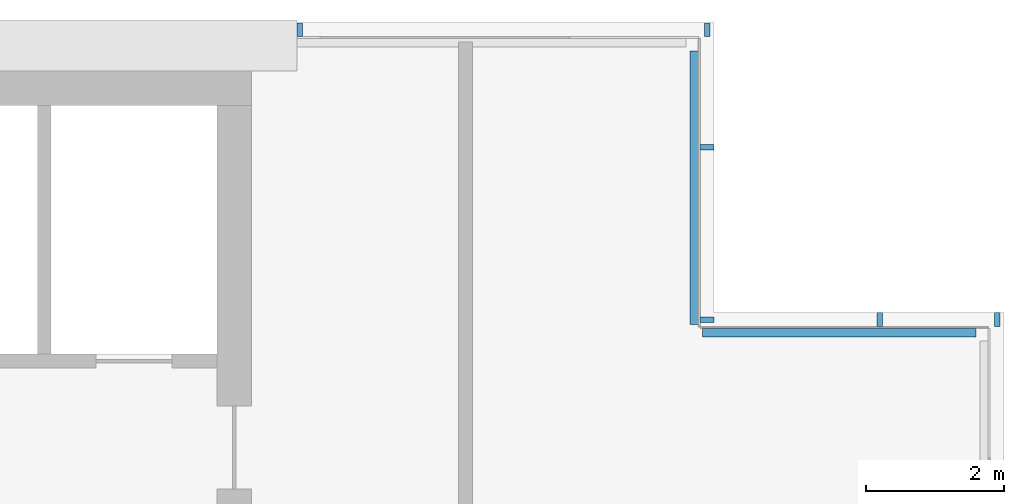
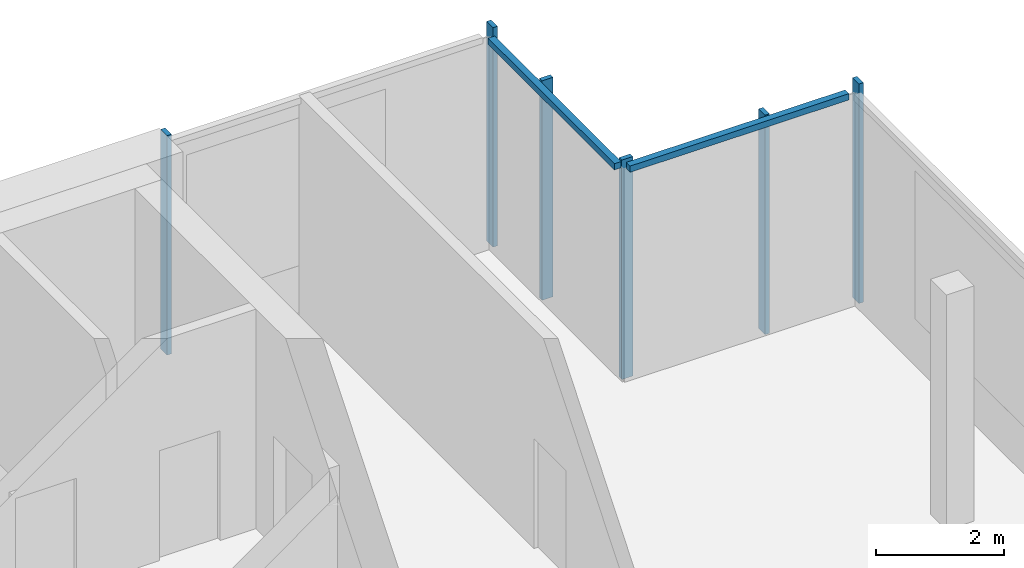
# One storey, part 8 of 14: 8 members, 3 elements without a shape of their own.
"""IFC4 building model written with IfcOpenShell, lengths in metres."""

from ifc_helpers import new_model, si_unit, direction, frame, origin, origin_2d, place, context, subcontext, project, spatial, rectangle, extrude, material, material_profile, profile_set, type_object, element, aggregate, save


model = new_model("IFC4")

# Units and contexts
model_context = context("Model", 3, precision=1e-05, world=origin(), true_north=direction((0.0, 1.0)))
body_context = subcontext(model_context, "Body", "Model", "MODEL_VIEW")
ifc_project = project(units=[si_unit("LENGTHUNIT", "METRE"), si_unit("AREAUNIT", "SQUARE_METRE"), si_unit("VOLUMEUNIT", "CUBIC_METRE"), si_unit("PLANEANGLEUNIT", "RADIAN"), si_unit("MASSUNIT", "GRAM", prefix="KILO")], contexts=[model_context])

# Site, building, storey
site_placement = place(None, origin())
site = spatial("IfcSite", under=ifc_project, at=site_placement, CompositionType="ELEMENT")
building_placement = place(site_placement, origin())
building = spatial("IfcBuilding", under=site, at=building_placement, Name="Saffron Gate Tower", CompositionType="ELEMENT")
storey_placement = place(building_placement, frame((0.0, 0.0, 310.35009765625)))
storey = spatial("IfcBuildingStorey", under=building, at=storey_placement, Name="L76", CompositionType="ELEMENT", Elevation=310.35009765625)

# Curtain wall, member
ifc_material = material(Name="Aluminium, bronze anodised", Category="aluminium")
curtain_wall_type = type_object("IfcCurtainWallType", Name="CWS6 curtain wall tall storeys", PredefinedType="NOTDEFINED", material=ifc_material)
curtain_wall_1_placement = place(storey_placement, origin())
curtain_wall_1 = element("IfcCurtainWall", 1, at=curtain_wall_1_placement, inside=storey, type_object=curtain_wall_type, Name="CWS6 run 5", PredefinedType="NOTDEFINED")
ifc_material_profile_1 = material_profile(ifc_material, rectangle(XDim=0.1201171875, YDim=0.1201171875, at=origin_2d()))
ifc_profile_set_1 = profile_set([ifc_material_profile_1], Name="Aluminium, bronze anodised")
member_type_1 = type_object("IfcMemberType", Name="CWS6 head transom", PredefinedType="USERDEFINED", material=ifc_profile_set_1)
member_1_placement = place(storey_placement, frame((118.39208984375, 71.112060546875, 4.139892578125), z_axis=(-1.0, 0.0, 0.0), x_axis=(0.0, -1.0, 0.0)))
member_1 = element("IfcMember", 2, at=member_1_placement, type_object=member_type_1, Name="CWS6 head transom", ObjectType="TRANSOM", PredefinedType="USERDEFINED", context=body_context, shape_type="SweptSolid", body=[
    extrude(rectangle(XDim=0.1201171875, YDim=0.1201171875, at=origin_2d()), origin(), (0.0, 0.0, 1.0), 3.960205078125),
])

curtain_wall_2_placement = place(storey_placement, origin())
curtain_wall_2 = element("IfcCurtainWall", 3, at=curtain_wall_2_placement, inside=storey, type_object=curtain_wall_type, Name="CWS6 run 6", PredefinedType="NOTDEFINED")
member_2_placement = place(storey_placement, frame((114.31201171875, 71.23193359375, 4.139892578125), z_axis=(0.0, 1.0, 0.0), x_axis=(-1.0, 0.0, 0.0)))
member_2 = element("IfcMember", 4, at=member_2_placement, type_object=member_type_1, Name="CWS6 head transom", ObjectType="TRANSOM", PredefinedType="USERDEFINED", context=body_context, shape_type="SweptSolid", body=[
    extrude(rectangle(XDim=0.1201171875, YDim=0.1201171875, at=origin_2d()), origin(), (0.0, 0.0, 1.0), 3.9599609375),
])

# Member
ifc_material_profile_2 = material_profile(ifc_material, rectangle(XDim=0.199951171875, YDim=0.080078125, at=origin_2d()))
ifc_profile_set_2 = profile_set([ifc_material_profile_2], Name="Aluminium, bronze anodised")
member_type_2 = type_object("IfcMemberType", Name="CWS6 mullion 80x200", PredefinedType="MULLION", material=ifc_profile_set_2)
member_3_placement = place(storey_placement, frame((118.699951171875, 71.300048828125, 0.0), z_axis=(0.0, 0.0, 1.0), x_axis=(0.0, -1.0, 0.0)))
member_3 = element("IfcMember", 5, at=member_3_placement, type_object=member_type_2, Name="CWS6 mullion 1", PredefinedType="MULLION", context=body_context, shape_type="SweptSolid", body=[
    extrude(rectangle(XDim=0.199951171875, YDim=0.080078125, at=origin_2d()), origin(), (0.0, 0.0, 1.0), 4.199951171875),
])

member_4_placement = place(storey_placement, frame((117.0, 71.300048828125, 0.0), z_axis=(0.0, 0.0, 1.0), x_axis=(0.0, -1.0, 0.0)))
member_4 = element("IfcMember", 6, at=member_4_placement, type_object=member_type_2, Name="CWS6 mullion 2", PredefinedType="MULLION", context=body_context, shape_type="SweptSolid", body=[
    extrude(rectangle(XDim=0.199951171875, YDim=0.080078125, at=origin_2d()), origin(), (0.0, 0.0, 1.0), 4.199951171875),
])

aggregate(curtain_wall_1, [member_3, member_4, member_1])

member_5_placement = place(storey_placement, frame((114.5, 71.300048828125, 0.0), z_axis=(0.0, 0.0, 1.0), x_axis=(-1.0, 0.0, 0.0)))
member_5 = element("IfcMember", 7, at=member_5_placement, type_object=member_type_2, Name="CWS6 mullion 1", PredefinedType="MULLION", context=body_context, shape_type="SweptSolid", body=[
    extrude(rectangle(XDim=0.199951171875, YDim=0.080078125, at=origin_2d()), origin(), (0.0, 0.0, 1.0), 4.199951171875),
])

member_6_placement = place(storey_placement, frame((114.5, 73.800048828125, 0.0), z_axis=(0.0, 0.0, 1.0), x_axis=(-1.0, 0.0, 0.0)))
member_6 = element("IfcMember", 8, at=member_6_placement, type_object=member_type_2, Name="CWS6 mullion 2", PredefinedType="MULLION", context=body_context, shape_type="SweptSolid", body=[
    extrude(rectangle(XDim=0.199951171875, YDim=0.080078125, at=origin_2d()), origin(), (0.0, 0.0, 1.0), 4.199951171875),
])

aggregate(curtain_wall_2, [member_5, member_6, member_2])

# Curtain wall, members
curtain_wall_3_placement = place(storey_placement, origin())
curtain_wall_3 = element("IfcCurtainWall", 9, at=curtain_wall_3_placement, inside=storey, type_object=curtain_wall_type, Name="CWS6 run 7", PredefinedType="NOTDEFINED")
member_7_placement = place(storey_placement, frame((114.5, 75.5, 0.0), z_axis=(0.0, 0.0, 1.0), x_axis=(0.0, -1.0, 0.0)))
member_7 = element("IfcMember", 10, at=member_7_placement, type_object=member_type_2, Name="CWS6 mullion 1", PredefinedType="MULLION", context=body_context, shape_type="SweptSolid", body=[
    extrude(rectangle(XDim=0.199951171875, YDim=0.080078125, at=origin_2d()), origin(), (0.0, 0.0, 1.0), 4.199951171875),
])
member_8_placement = place(storey_placement, frame((108.60009765625, 75.5, 0.0), z_axis=(0.0, 0.0, 1.0), x_axis=(0.0, -1.0, 0.0)))
member_8 = element("IfcMember", 11, at=member_8_placement, type_object=member_type_2, Name="CWS6 mullion 2", PredefinedType="MULLION", context=body_context, shape_type="SweptSolid", body=[
    extrude(rectangle(XDim=0.199951171875, YDim=0.080078125, at=origin_2d()), origin(), (0.0, 0.0, 1.0), 4.199951171875),
])
aggregate(curtain_wall_3, [member_7, member_8])

save(model, "model.ifc")
